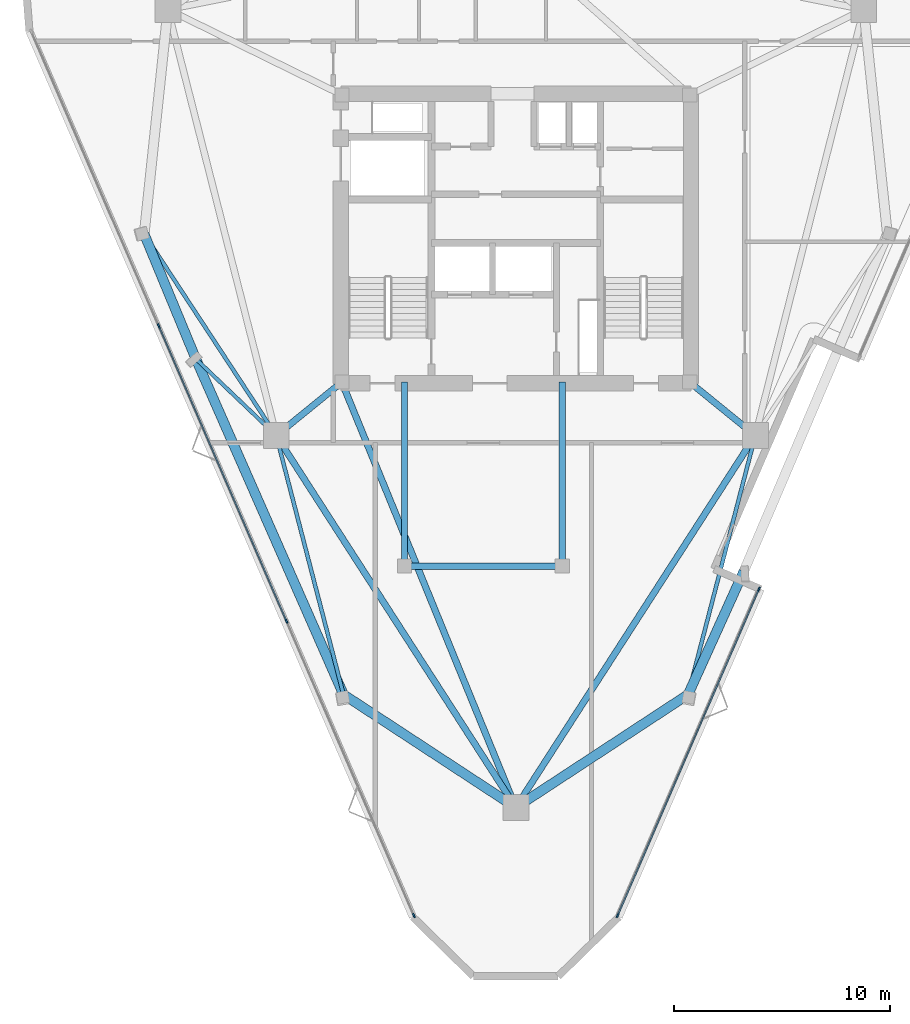
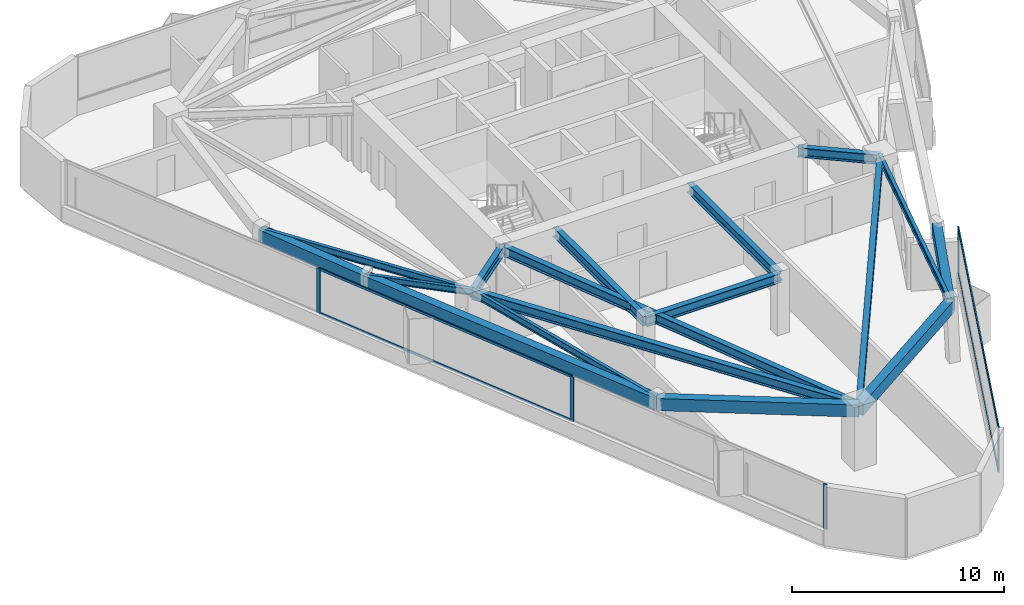
# One storey, part 2 of 10: 17 beams, 9 members, 2 elements without a shape of their own.
"""IFC4 building model written with IfcOpenShell, lengths in metres."""

from ifc_helpers import new_model, si_unit, direction, frame, origin, origin_2d, place, context, subcontext, project, spatial, rectangle, i_section, extrude, material, layer, layer_set, material_profile, profile_set, type_object, element, aggregate, save


model = new_model("IFC4")

# Units and contexts
model_context = context("Model", 3, precision=1e-05, world=origin(), true_north=direction((0.0, 1.0)))
body_context = subcontext(model_context, "Body", "Model", "MODEL_VIEW")
ifc_project = project(units=[si_unit("LENGTHUNIT", "METRE"), si_unit("AREAUNIT", "SQUARE_METRE"), si_unit("VOLUMEUNIT", "CUBIC_METRE"), si_unit("PLANEANGLEUNIT", "RADIAN"), si_unit("MASSUNIT", "GRAM", prefix="KILO")], contexts=[model_context])

# Site, building, storey
site_placement = place(None, origin())
site = spatial("IfcSite", under=ifc_project, at=site_placement, CompositionType="ELEMENT")
building_placement = place(site_placement, origin())
building = spatial("IfcBuilding", under=site, at=building_placement, Name="Talyreon Biosciences Tower", CompositionType="ELEMENT")
storey_placement = place(building_placement, frame((0.0, 0.0, 257.14990234375)))
storey = spatial("IfcBuildingStorey", under=building, at=storey_placement, Name="L68", CompositionType="ELEMENT", Elevation=257.14990234375)

# Curtain wall, members
ifc_material_1 = material(Name="Thermally broken aluminium and low-E glazing", Category="aluminium")
ifc_layer = layer(ifc_material_1, 0.205078125)
ifc_layer_set = layer_set([ifc_layer], Name="Thermally broken aluminium and low-E glazing")
curtain_wall_type = type_object("IfcCurtainWallType", Name="CurtainWall_SkyGardenLoggia", PredefinedType="NOTDEFINED", material=ifc_layer_set)
curtain_wall_1_placement = place(storey_placement, origin())
curtain_wall_1 = element("IfcCurtainWall", 1, at=curtain_wall_1_placement, inside=storey, type_object=curtain_wall_type, Name="L68 Unitised Curtain Wall FCW-L68-11", PredefinedType="NOTDEFINED")
ifc_material_2 = material(Name="Anodised thermally broken aluminium", Category="aluminium")
ifc_material_profile_1 = material_profile(ifc_material_2, rectangle(XDim=0.074951171875, YDim=0.2099609375, at=origin_2d()), Name="ALUM MULLION 75x210")
ifc_profile_set_1 = profile_set([ifc_material_profile_1], Name="Anodised thermally broken aluminium")
member_type_1 = type_object("IfcMemberType", Name="CWMullion_75x210", PredefinedType="MULLION", material=ifc_profile_set_1)
member_1_placement = place(storey_placement, frame((77.249267578125, 51.768798828125, 0.81005859375), z_axis=(0.0, 0.0, 1.0), x_axis=(0.917723005624, -0.397220952302, 0.0)))
member_1 = element("IfcMember", 2, at=member_1_placement, type_object=member_type_1, Name="CW7 mullion 1", PredefinedType="MULLION", context=body_context, shape_type="SweptSolid", body=[
    extrude(rectangle(XDim=0.074951171875, YDim=0.2099609375, at=origin_2d()), origin(), (0.0, 0.0, 1.0), 2.590087890625),
])
member_2_placement = place(storey_placement, frame((70.713623046875, 36.66943359375, 0.81005859375), z_axis=(0.0, 0.0, 1.0), x_axis=(0.917723005624, -0.397220952302, 0.0)))
member_2 = element("IfcMember", 3, at=member_2_placement, type_object=member_type_1, Name="CW7 mullion 2", PredefinedType="MULLION", context=body_context, shape_type="SweptSolid", body=[
    extrude(rectangle(XDim=0.074951171875, YDim=0.2099609375, at=origin_2d()), origin(), (0.0, 0.0, 1.0), 2.590087890625),
])

curtain_wall_2_placement = place(storey_placement, origin())
curtain_wall_2 = element("IfcCurtainWall", 4, at=curtain_wall_2_placement, inside=storey, type_object=curtain_wall_type, Name="L68 Unitised Curtain Wall FCW-L68-15", PredefinedType="NOTDEFINED")
member_3_placement = place(storey_placement, frame((61.286376953125, 36.66943359375, 0.81005859375), z_axis=(0.0, 0.0, 1.0), x_axis=(-0.917723103703, -0.397220725706, 0.0)))
member_3 = element("IfcMember", 5, at=member_3_placement, type_object=member_type_1, Name="CW7 mullion 1", PredefinedType="MULLION", context=body_context, shape_type="SweptSolid", body=[
    extrude(rectangle(XDim=0.074951171875, YDim=0.2099609375, at=origin_2d()), origin(), (0.0, 0.0, 1.0), 2.590087890625),
])
member_4_placement = place(storey_placement, frame((55.388427734375, 50.2958984375, 0.81005859375), z_axis=(0.0, 0.0, 1.0), x_axis=(-0.917723103703, -0.397220725706, 0.0)))
member_4 = element("IfcMember", 6, at=member_4_placement, type_object=member_type_1, Name="CW7 mullion 2", PredefinedType="MULLION", context=body_context, shape_type="SweptSolid", body=[
    extrude(rectangle(XDim=0.074951171875, YDim=0.2099609375, at=origin_2d()), origin(), (0.0, 0.0, 1.0), 2.590087890625),
])
member_5_placement = place(storey_placement, frame((49.4755859375, 63.95654296875, 0.81005859375), z_axis=(0.0, 0.0, 1.0), x_axis=(-0.917723103703, -0.397220725706, 0.0)))
member_5 = element("IfcMember", 7, at=member_5_placement, type_object=member_type_1, Name="CW7 mullion 3", PredefinedType="MULLION", context=body_context, shape_type="SweptSolid", body=[
    extrude(rectangle(XDim=0.074951171875, YDim=0.2099609375, at=origin_2d()), origin(), (0.0, 0.0, 1.0), 2.590087890625),
])

# Member
ifc_material_profile_2 = material_profile(ifc_material_2, rectangle(XDim=0.06494140625, YDim=0.139892578125, at=origin_2d()), Name="ALUM TRANSOM 65x140")
ifc_profile_set_2 = profile_set([ifc_material_profile_2], Name="Anodised thermally broken aluminium")
member_type_2 = type_object("IfcMemberType", Name="CWTransom_65x140", PredefinedType="USERDEFINED", material=ifc_profile_set_2)
member_6_placement = place(storey_placement, frame((77.234375, 51.734375, 0.842529296875), z_axis=(-0.397228814561, -0.917719602538, 0.0), x_axis=(0.917719602538, -0.397228814561, 0.0)))
member_6 = element("IfcMember", 8, at=member_6_placement, type_object=member_type_2, Name="CW7 transom 1.1", ObjectType="TRANSOM", PredefinedType="USERDEFINED", context=body_context, shape_type="SweptSolid", body=[
    extrude(rectangle(XDim=0.06494140625, YDim=0.139892578125, at=origin_2d()), origin(), (0.0, 0.0, 1.0), 16.378173828125),
])

member_7_placement = place(storey_placement, frame((77.234375, 51.734375, 3.36767578125), z_axis=(-0.397228814561, -0.917719602538, 0.0), x_axis=(0.917719602538, -0.397228814561, 0.0)))
member_7 = element("IfcMember", 9, at=member_7_placement, type_object=member_type_2, Name="CW7 transom 1.2", ObjectType="TRANSOM", PredefinedType="USERDEFINED", context=body_context, shape_type="SweptSolid", body=[
    extrude(rectangle(XDim=0.06494140625, YDim=0.139892578125, at=origin_2d()), origin(), (0.0, 0.0, 1.0), 16.378173828125),
])

aggregate(curtain_wall_1, [member_1, member_2, member_6, member_7])

member_8_placement = place(storey_placement, frame((55.37353515625, 50.330322265625, 0.842529296875), z_axis=(-0.397225285148, 0.917721130213, 0.0), x_axis=(-0.917721130213, -0.397225285148, 0.0)))
member_8 = element("IfcMember", 10, at=member_8_placement, type_object=member_type_2, Name="CW7 transom 2.1", ObjectType="TRANSOM", PredefinedType="USERDEFINED", context=body_context, shape_type="SweptSolid", body=[
    extrude(rectangle(XDim=0.06494140625, YDim=0.139892578125, at=origin_2d()), origin(), (0.0, 0.0, 1.0), 14.810302734375),
])

member_9_placement = place(storey_placement, frame((55.37353515625, 50.330322265625, 3.36767578125), z_axis=(-0.397225285148, 0.917721130213, 0.0), x_axis=(-0.917721130213, -0.397225285148, 0.0)))
member_9 = element("IfcMember", 11, at=member_9_placement, type_object=member_type_2, Name="CW7 transom 2.2", ObjectType="TRANSOM", PredefinedType="USERDEFINED", context=body_context, shape_type="SweptSolid", body=[
    extrude(rectangle(XDim=0.06494140625, YDim=0.139892578125, at=origin_2d()), origin(), (0.0, 0.0, 1.0), 14.810302734375),
])

aggregate(curtain_wall_2, [member_3, member_4, member_5, member_8, member_9])

# Beams
ifc_material_3 = material(Name="Precast concrete C45/55", Category="concrete")
ifc_material_profile_3 = material_profile(ifc_material_3, rectangle(XDim=0.449951171875, YDim=0.699951171875, at=origin_2d()), Name="RCB 450x700")
ifc_profile_set_3 = profile_set([ifc_material_profile_3], Name="Precast concrete C45/55")
beam_type_1 = type_object("IfcBeamType", Name="ExpressedSpandrel_450x700", PredefinedType="SPANDREL", material=ifc_profile_set_3)
beam_1_placement = place(storey_placement, frame((66.0, 41.6669921875, 3.050048828125), z_axis=(0.83625264347, 0.548344340984, 0.0), x_axis=(-0.548344340984, 0.83625264347, 0.0)))
element("IfcBeam", 12, at=beam_1_placement, inside=storey, type_object=beam_type_1, Name="L68 Expressed Horizontal Concrete Spandrel 01", PredefinedType="SPANDREL", context=body_context, shape_type="SweptSolid", body=[
    extrude(rectangle(XDim=0.449951171875, YDim=0.699951171875, at=origin_2d()), origin(), (0.0, 0.0, 1.0), 9.53564453125),
])
for number, where, z_axis, x_axis, name in (
    (13, (73.97412109375, 46.895751953125, 3.050048828125), (0.411854524047, 0.911249609614, 0.0), (-0.911249609614, 0.411854524047, 0.0), "L68 Expressed Horizontal Concrete Spandrel 02"),
    (14, (48.802001953125, 68.20654296875, 3.050048828125), (0.382485136449, -0.92396164444, 0.0), (0.92396164444, 0.382485136449, 0.0), "L68 Expressed Horizontal Concrete Spandrel 10"),
):
    element("IfcBeam", number, at=place(storey_placement, frame(where, z_axis=z_axis, x_axis=x_axis)), inside=storey, type_object=beam_type_1, Name=name, PredefinedType="SPANDREL", context=body_context, shape_type="SweptSolid", body=[
        extrude(rectangle(XDim=0.449951171875, YDim=0.699951171875, at=origin_2d()), origin(), (0.0, 0.0, 1.0), 6.252685546875),
    ])
beam_2_placement = place(storey_placement, frame((51.193603515625, 62.42919921875, 3.050048828125), z_axis=(0.402618076891, -0.915368059395, 0.0), x_axis=(0.915368059395, 0.402618076891, 0.0)))
element("IfcBeam", 15, at=beam_2_placement, inside=storey, type_object=beam_type_1, Name="L68 Expressed Horizontal Concrete Spandrel 11", PredefinedType="SPANDREL", context=body_context, shape_type="SweptSolid", body=[
    extrude(rectangle(XDim=0.449951171875, YDim=0.699951171875, at=origin_2d()), origin(), (0.0, 0.0, 1.0), 16.9697265625),
])
beam_3_placement = place(storey_placement, frame((58.02587890625, 46.895751953125, 3.050048828125), z_axis=(0.83625264347, -0.548344340984, 0.0), x_axis=(0.548344340984, 0.83625264347, 0.0)))
element("IfcBeam", 16, at=beam_3_placement, inside=storey, type_object=beam_type_1, Name="L68 Expressed Horizontal Concrete Spandrel 12", PredefinedType="SPANDREL", context=body_context, shape_type="SweptSolid", body=[
    extrude(rectangle(XDim=0.449951171875, YDim=0.699951171875, at=origin_2d()), origin(), (0.0, 0.0, 1.0), 9.53564453125),
])
ifc_material_4 = material(Name="Steel SM355", Category="steel")
ifc_material_profile_4 = material_profile(ifc_material_4, i_section(OverallWidth=0.300048828125, OverallDepth=0.550048828125, WebThickness=0.014892578125, FlangeThickness=0.029052734375, FilletRadius=0.027099609375, at=origin_2d()), Name="HE550B")
ifc_profile_set_4 = profile_set([ifc_material_profile_4], Name="Steel SM355")
beam_type_2 = type_object("IfcBeamType", Name="SteelBeam_HE550B", PredefinedType="BEAM", material=ifc_profile_set_4)
for number, where, z_axis, x_axis, name in (
    (17, (66.0, 41.6669921875, 3.125), (0.541463723609, 0.840724114092, 0.0), (-0.840724114092, 0.541463723609, 0.0), "L68 Mega-Ring Girder 1"),
    (18, (54.913818359375, 58.88037109375, 3.125), (0.541463723609, -0.840724114092, 0.0), (0.840724114092, 0.541463723609, 0.0), "L68 Mega-Ring Girder 6"),
):
    element("IfcBeam", number, at=place(storey_placement, frame(where, z_axis=z_axis, x_axis=x_axis)), inside=storey, type_object=beam_type_2, Name=name, PredefinedType="BEAM", context=body_context, shape_type="SweptSolid", body=[
        extrude(i_section(OverallWidth=0.300048828125, OverallDepth=0.550048828125, WebThickness=0.014892578125, FlangeThickness=0.029052734375, FilletRadius=0.027099609375, at=origin_2d()), origin(), (0.0, 0.0, 1.0), 20.474365234375),
    ])
beam_4_placement = place(storey_placement, frame((57.949951171875, 61.35009765625, 3.125), z_axis=(0.378547014545, -0.925582064314, 0.0), x_axis=(0.925582064314, 0.378547014545, 0.0)))
element("IfcBeam", 19, at=beam_4_placement, inside=storey, type_object=beam_type_2, Name="L68 Radial Primary Girder 1", PredefinedType="BEAM", context=body_context, shape_type="SweptSolid", body=[
    extrude(i_section(OverallWidth=0.300048828125, OverallDepth=0.550048828125, WebThickness=0.014892578125, FlangeThickness=0.029052734375, FilletRadius=0.027099609375, at=origin_2d()), origin(), (0.0, 0.0, 1.0), 21.265625),
])
for number, where, z_axis, x_axis, name in (
    (20, (74.050048828125, 61.35009765625, 3.125), (0.775755154013, -0.631034025249, 0.0), (0.631034025249, 0.775755154013, 0.0), "L68 Radial Primary Girder 2"),
    (21, (57.949951171875, 61.35009765625, 3.125), (-0.775755154013, -0.631034025249, 0.0), (0.631034025249, -0.775755154013, 0.0), "L68 Radial Primary Girder 6"),
):
    element("IfcBeam", number, at=place(storey_placement, frame(where, z_axis=z_axis, x_axis=x_axis)), inside=storey, type_object=beam_type_2, Name=name, PredefinedType="BEAM", context=body_context, shape_type="SweptSolid", body=[
        extrude(i_section(OverallWidth=0.300048828125, OverallDepth=0.550048828125, WebThickness=0.014892578125, FlangeThickness=0.029052734375, FilletRadius=0.027099609375, at=origin_2d()), origin(), (0.0, 0.0, 1.0), 3.913818359375),
    ])
beam_5_placement = place(storey_placement, frame((60.85009765625, 52.840087890625, 3.125), z_axis=(1.0, 0.0, 0.0), x_axis=(0.0, 1.0, 0.0)))
element("IfcBeam", 22, at=beam_5_placement, inside=storey, type_object=beam_type_2, Name="L68 Crown Shaft Spine Girder S", PredefinedType="BEAM", context=body_context, shape_type="SweptSolid", body=[
    extrude(i_section(OverallWidth=0.300048828125, OverallDepth=0.550048828125, WebThickness=0.014892578125, FlangeThickness=0.029052734375, FilletRadius=0.027099609375, at=origin_2d()), origin(), (0.0, 0.0, 1.0), 7.2998046875),
])
for number, where, z_axis, x_axis, name in (
    (23, (60.85009765625, 52.840087890625, 3.125), (0.0, 1.0, 0.0), (-1.0, 0.0, 0.0), "L68 Crown Shaft Tie Girder W"),
    (24, (68.14990234375, 52.840087890625, 3.125), (0.0, 1.0, 0.0), (-1.0, 0.0, 0.0), "L68 Crown Shaft Tie Girder E"),
):
    element("IfcBeam", number, at=place(storey_placement, frame(where, z_axis=z_axis, x_axis=x_axis)), inside=storey, type_object=beam_type_2, Name=name, PredefinedType="BEAM", context=body_context, shape_type="SweptSolid", body=[
        extrude(i_section(OverallWidth=0.300048828125, OverallDepth=0.550048828125, WebThickness=0.014892578125, FlangeThickness=0.029052734375, FilletRadius=0.027099609375, at=origin_2d()), origin(), (0.0, 0.0, 1.0), 8.510009765625),
    ])
ifc_material_profile_5 = material_profile(ifc_material_4, i_section(OverallWidth=0.169921875, OverallDepth=0.360107421875, WebThickness=0.008056640625, FlangeThickness=0.0126953125, FilletRadius=0.01806640625, at=origin_2d()), Name="IPE360")
ifc_profile_set_5 = profile_set([ifc_material_profile_5], Name="Steel SM355")
beam_type_3 = type_object("IfcBeamType", Name="SteelJoist_IPE360", PredefinedType="JOIST", material=ifc_profile_set_5)
beam_6_placement = place(storey_placement, frame((54.913818359375, 58.88037109375, 3.22021484375), z_axis=(-0.723577582878, 0.690243059766, 0.0), x_axis=(-0.690243059766, -0.723577582878, 0.0)))
element("IfcBeam", 25, at=beam_6_placement, inside=storey, type_object=beam_type_3, Name="L68 Radial Composite Floor Joist PL-SW", PredefinedType="JOIST", context=body_context, shape_type="SweptSolid", body=[
    extrude(i_section(OverallWidth=0.169921875, OverallDepth=0.360107421875, WebThickness=0.008056640625, FlangeThickness=0.0126953125, FilletRadius=0.01806640625, at=origin_2d()), origin(), (0.0, 0.0, 1.0), 5.141357421875),
])
ifc_material_profile_6 = material_profile(ifc_material_4, i_section(OverallWidth=0.179931640625, OverallDepth=0.39990234375, WebThickness=0.008544921875, FlangeThickness=0.013427734375, FilletRadius=0.02099609375, at=origin_2d()), Name="IPE400")
ifc_profile_set_6 = profile_set([ifc_material_profile_6], Name="Steel SM355")
beam_type_4 = type_object("IfcBeamType", Name="SteelJoist_IPE400", PredefinedType="JOIST", material=ifc_profile_set_6)
beam_7_placement = place(storey_placement, frame((77.086181640625, 58.88037109375, 3.2001953125), z_axis=(-0.251335754053, -0.967899963185, 0.0), x_axis=(0.967899963185, -0.251335754053, 0.0)))
element("IfcBeam", 26, at=beam_7_placement, inside=storey, type_object=beam_type_4, Name="L68 Radial Composite Floor Joist PC-SE1", PredefinedType="JOIST", context=body_context, shape_type="SweptSolid", body=[
    extrude(i_section(OverallWidth=0.179931640625, OverallDepth=0.39990234375, WebThickness=0.008544921875, FlangeThickness=0.013427734375, FilletRadius=0.02099609375, at=origin_2d()), origin(), (0.0, 0.0, 1.0), 12.382080078125),
])
beam_8_placement = place(storey_placement, frame((54.913818359375, 58.88037109375, 3.2001953125), z_axis=(-0.548124508708, 0.836396749727, 0.0), x_axis=(-0.836396749727, -0.548124508708, 0.0)))
element("IfcBeam", 27, at=beam_8_placement, inside=storey, type_object=beam_type_4, Name="L68 Radial Composite Floor Joist PC-SW1", PredefinedType="JOIST", context=body_context, shape_type="SweptSolid", body=[
    extrude(i_section(OverallWidth=0.179931640625, OverallDepth=0.39990234375, WebThickness=0.008544921875, FlangeThickness=0.013427734375, FilletRadius=0.02099609375, at=origin_2d()), origin(), (0.0, 0.0, 1.0), 11.150390625),
])
beam_9_placement = place(storey_placement, frame((54.913818359375, 58.88037109375, 3.2001953125), z_axis=(0.251335754053, -0.967899963185, 0.0), x_axis=(0.967899963185, 0.251335754053, 0.0)))
element("IfcBeam", 28, at=beam_9_placement, inside=storey, type_object=beam_type_4, Name="L68 Radial Composite Floor Joist PC-SW2", PredefinedType="JOIST", context=body_context, shape_type="SweptSolid", body=[
    extrude(i_section(OverallWidth=0.179931640625, OverallDepth=0.39990234375, WebThickness=0.008544921875, FlangeThickness=0.013427734375, FilletRadius=0.02099609375, at=origin_2d()), origin(), (0.0, 0.0, 1.0), 12.382080078125),
])

save(model, "model.ifc")
